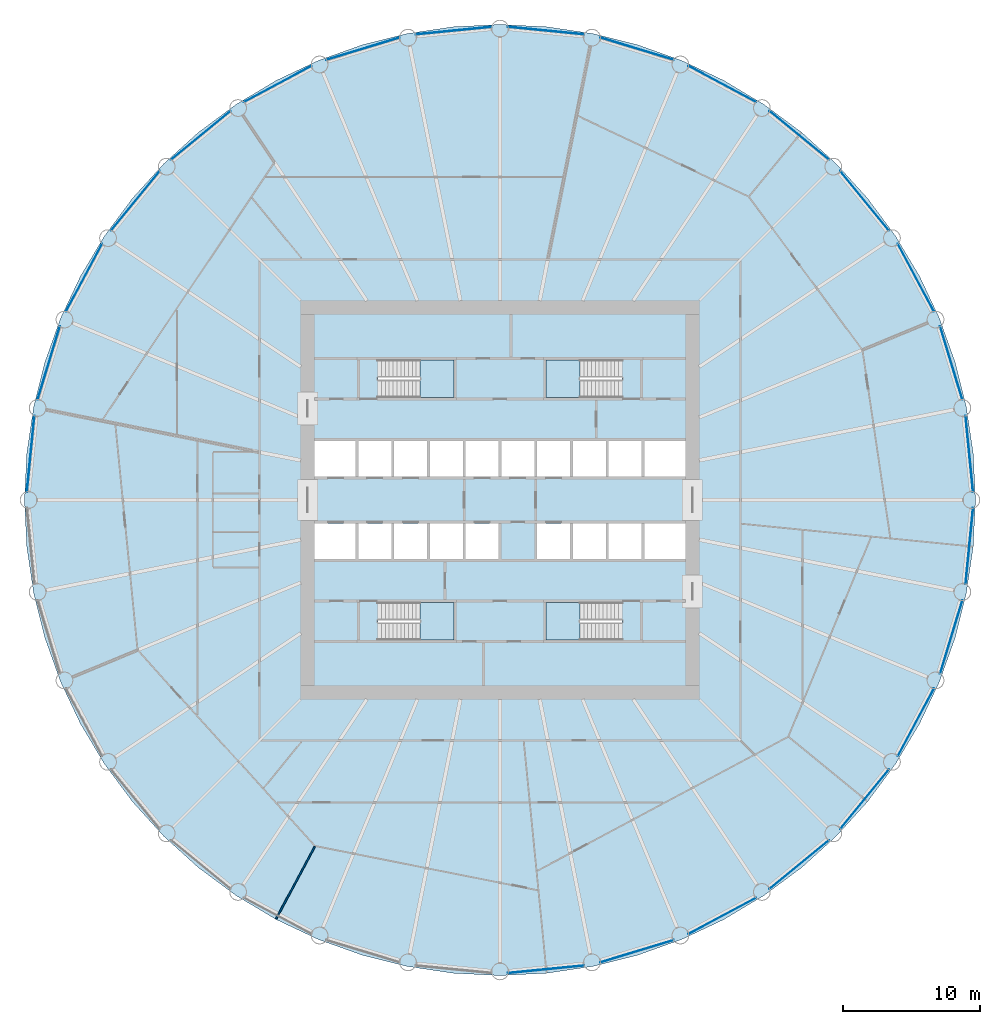
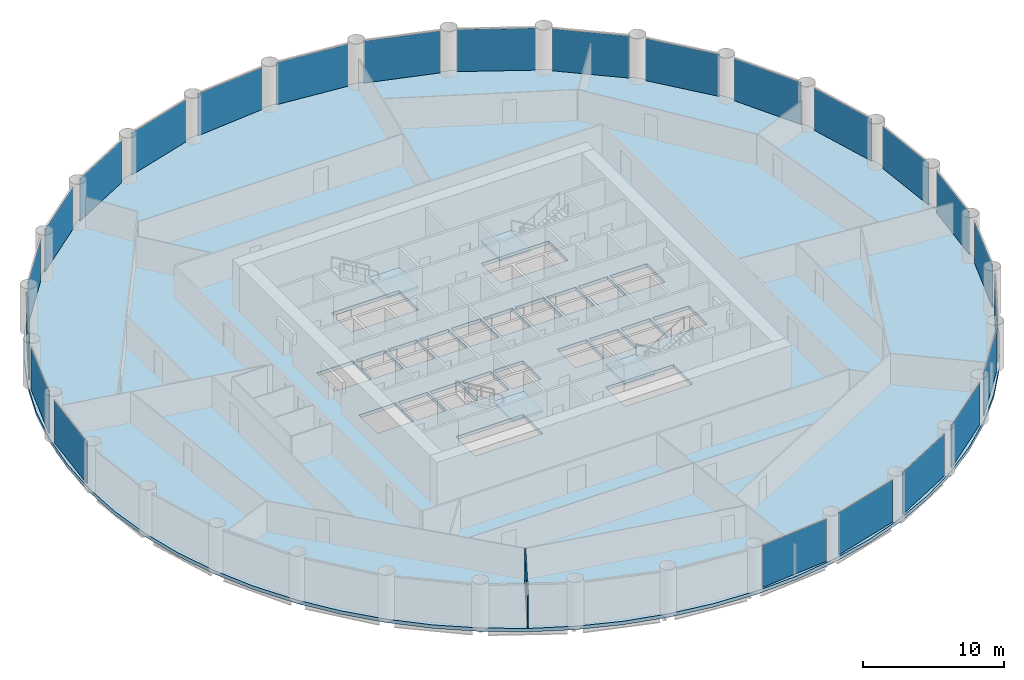
# One storey, part 3 of 9: 24 plates, 5 slabs, 1 wall, 28 elements without a shape of their own.
"""IFC4 building model written with IfcOpenShell, lengths in metres."""

import ifcopenshell
import ifcopenshell.guid

model = None  # the IFC model being written
_history = None  # IfcOwnerHistory: only IFC2X3 demands one
_inside = {}  # id of a spatial element -> (the spatial element, [elements in it])
_under = {}  # id of a project, library or spatial element -> (it, [spatial elements below it])
_declared = {}  # id of a project -> (the project, [libraries it declares])
_typed = {}  # id of a type object -> (the type object, [elements of that type])
_made_of = {}  # id of a material, layer set ... -> (it, [elements and type objects made of it])


def new_model(schema):
    """Start an empty IFC model of exactly this schema.

    Asked for "IFC4X3", IfcOpenShell would pick the latest addendum, in which some entities
    have other attributes; the version numbers below select the first issue.
    IFC2X3 requires an IfcOwnerHistory on every rooted entity: one is made here for all.
    """
    global model, _history
    if schema == "IFC4X3":
        model = ifcopenshell.file(schema_version=(4, 3, 0, 0))
    else:
        model = ifcopenshell.file(schema=schema)
    _inside.clear()
    _under.clear()
    _declared.clear()
    _typed.clear()
    _made_of.clear()
    _history = None
    if model.schema == "IFC2X3":
        org = make("IfcOrganization", Name="unknown")
        user = make(
            "IfcPersonAndOrganization",
            ThePerson=make("IfcPerson", FamilyName="unknown"),
            TheOrganization=org,
        )
        app = make(
            "IfcApplication",
            ApplicationDeveloper=org,
            Version="unknown",
            ApplicationFullName="unknown",
            ApplicationIdentifier="unknown",
        )
        _history = make(
            "IfcOwnerHistory",
            OwningUser=user,
            OwningApplication=app,
            ChangeAction="ADDED",
            CreationDate=0,
        )
    return model


def make(cls, **values):
    """One entity of the class cls with the attributes given. An attribute that is None is left unset."""
    return model.create_entity(
        cls, **{name: value for name, value in values.items() if value is not None}
    )


def rooted(cls, **values):
    """An entity with a GlobalId (a new one), such as an element, a storey or a relation."""
    return make(cls, GlobalId=ifcopenshell.guid.new(), OwnerHistory=_history, **values)


def si_unit(unit_type, name, prefix=None):
    """IfcSIUnit, for example si_unit("LENGTHUNIT", "METRE", prefix="MILLI")."""
    return make("IfcSIUnit", UnitType=unit_type, Prefix=prefix, Name=name)


def assignment(units):
    """IfcUnitAssignment: the units of a project."""
    return None if units is None else make("IfcUnitAssignment", Units=units)


def point(xyz):
    """IfcCartesianPoint."""
    return None if xyz is None else make("IfcCartesianPoint", Coordinates=xyz)


def direction(xyz):
    """IfcDirection."""
    return None if xyz is None else make("IfcDirection", DirectionRatios=xyz)


def frame(location, z_axis=None, x_axis=None):
    """IfcAxis2Placement3D, a coordinate frame: its origin and axes. An axis left out is left unset."""
    return make(
        "IfcAxis2Placement3D",
        Location=point(location),
        Axis=direction(z_axis),
        RefDirection=direction(x_axis),
    )


def frame_2d(location, x_axis=None):
    """IfcAxis2Placement2D, a coordinate frame in the plane: its origin and x axis."""
    return make(
        "IfcAxis2Placement2D", Location=point(location), RefDirection=direction(x_axis)
    )


def origin():
    """The frame at (0, 0, 0) with its axes left unset."""
    return frame((0.0, 0.0, 0.0))


def origin_2d():
    """The frame at (0, 0) in the plane with its x axis left unset."""
    return frame_2d((0.0, 0.0))


def place(relative_to, where):
    """IfcLocalPlacement: puts the frame where relative to a parent placement (None: the world)."""
    return make(
        "IfcLocalPlacement", PlacementRelTo=relative_to, RelativePlacement=where
    )


def context(
    kind, dimensions, precision=None, world=None, true_north=None, identifier=None
):
    """IfcGeometricRepresentationContext, for example the 3D "Model" context."""
    return make(
        "IfcGeometricRepresentationContext",
        ContextIdentifier=identifier,
        ContextType=kind,
        CoordinateSpaceDimension=dimensions,
        Precision=precision,
        WorldCoordinateSystem=world,
        TrueNorth=true_north,
    )


def subcontext(parent, identifier, kind, view, scale=None):
    """IfcGeometricRepresentationSubContext, for example "Body" below "Model"."""
    return make(
        "IfcGeometricRepresentationSubContext",
        ContextIdentifier=identifier,
        ContextType=kind,
        ParentContext=parent,
        TargetScale=scale,
        TargetView=view,
    )


def project(units=None, contexts=None):
    """IfcProject with its units and contexts."""
    return rooted(
        "IfcProject",
        Name="project",
        RepresentationContexts=contexts,
        UnitsInContext=assignment(units),
    )


def spatial(cls, under=None, at=None, **own):
    """A site, building, storey or space (cls), placed at a placement, below another one or the project."""
    s = rooted(cls, ObjectPlacement=at, **own)
    if under is not None:
        _under.setdefault(under.id(), (under, []))[1].append(s)
    return s


def polyline(points):
    """IfcPolyline through the points."""
    return make("IfcPolyline", Points=[point(p) for p in points])


def profile(cls, at=None, kind="AREA", **sizes):
    """A parametric profile (cls). Its sizes go by their IFC names, for example OverallWidth=200.0."""
    return make(cls, ProfileType=kind, Position=at, **sizes)


def rectangle(**sizes):
    """IfcRectangleProfileDef."""
    return profile("IfcRectangleProfileDef", **sizes)


def outline(outer, holes=None, kind="AREA"):
    """IfcArbitraryClosedProfileDef: a profile drawn as a closed curve; with holes, ...WithVoids."""
    if holes is None:
        return make("IfcArbitraryClosedProfileDef", ProfileType=kind, OuterCurve=outer)
    return make(
        "IfcArbitraryProfileDefWithVoids",
        ProfileType=kind,
        OuterCurve=outer,
        InnerCurves=holes,
    )


def extrude(swept, where, along, depth):
    """IfcExtrudedAreaSolid: the profile swept, set in the frame where, extruded along a direction by depth."""
    return make(
        "IfcExtrudedAreaSolid",
        SweptArea=swept,
        Position=where,
        ExtrudedDirection=direction(along),
        Depth=depth,
    )


def shape(context_of_items, identifier, shape_type, items):
    """IfcShapeRepresentation: the items that make up one representation, for example the "Body"."""
    return make(
        "IfcShapeRepresentation",
        ContextOfItems=context_of_items,
        RepresentationIdentifier=identifier,
        RepresentationType=shape_type,
        Items=items,
    )


def material(Name=None, Category=None):
    """IfcMaterial."""
    return make("IfcMaterial", Name=Name, Category=Category)


def layer(
    of_material, thickness, ventilated=None, Name=None, Category=None, Priority=None
):
    """IfcMaterialLayer: one layer of a wall or slab, of a material (None: an air gap)."""
    return make(
        "IfcMaterialLayer",
        Material=of_material,
        LayerThickness=thickness,
        IsVentilated=ventilated,
        Name=Name,
        Category=Category,
        Priority=Priority,
    )


def layer_set(layers, Name=None):
    """IfcMaterialLayerSet."""
    return make("IfcMaterialLayerSet", MaterialLayers=layers, LayerSetName=Name)


def made_of(thing, what):
    """Note that an element or type object is made of a material, layer set ...; save() writes the relation."""
    if what is not None:
        _made_of.setdefault(what.id(), (what, []))[1].append(thing)
    return thing


def type_object(cls, material=None, **own):
    """A type object (cls), such as IfcWallType, which elements share."""
    return made_of(rooted(cls, **own), material)


def element(
    cls,
    number,
    at=None,
    inside=None,
    cuts=None,
    type_object=None,
    material=None,
    context=None,
    identifier="Body",
    shape_type=None,
    held_by="IfcProductDefinitionShape",
    body=None,
    shapes=None,
    **own,
):
    """One element of the class cls, such as IfcWall. Its Tag is "e" and its number.

    at: its placement. inside: the storey or other place that contains it. cuts: it is an
    opening in that element (IfcRelVoidsElement). A single representation is given by context,
    identifier, shape_type and body (its items); several are given by shapes. held_by: the class
    of the entity that holds the representations. save() writes the other relations.
    """
    e = rooted(cls, Tag="e%d" % number, ObjectPlacement=at, **own)
    if body is not None:
        shapes = [shape(context, identifier, shape_type, body)]
    if shapes is not None:
        e.Representation = make(held_by, Representations=shapes)
    if inside is not None:
        _inside.setdefault(inside.id(), (inside, []))[1].append(e)
    if cuts is not None:
        rooted(
            "IfcRelVoidsElement", RelatingBuildingElement=cuts, RelatedOpeningElement=e
        )
    if type_object is not None:
        _typed.setdefault(type_object.id(), (type_object, []))[1].append(e)
    return made_of(e, material)


def aggregate(whole, parts):
    """IfcRelAggregates: a whole, such as a stair, and the parts it consists of."""
    return rooted("IfcRelAggregates", RelatingObject=whole, RelatedObjects=parts)


def save(model, path):
    """Write the relations noted so far, then the file.

    IfcRelAggregates (storeys below a building ...), IfcRelContainedInSpatialStructure (elements
    in a storey), IfcRelDefinesByType, IfcRelAssociatesMaterial and IfcRelDeclares: one each for
    every whole, place, type object, material and project.
    """
    for whole, parts in _under.values():
        aggregate(whole, parts)
    for where, things in _inside.values():
        rooted(
            "IfcRelContainedInSpatialStructure",
            RelatedElements=things,
            RelatingStructure=where,
        )
    for kind, things in _typed.values():
        rooted("IfcRelDefinesByType", RelatedObjects=things, RelatingType=kind)
    for what, things in _made_of.values():
        rooted("IfcRelAssociatesMaterial", RelatedObjects=things, RelatingMaterial=what)
    for by, libraries in _declared.values():
        rooted("IfcRelDeclares", RelatingContext=by, RelatedDefinitions=libraries)
    model.write(path)


model = new_model("IFC4")

# Units and contexts
model_context = context("Model", 3, precision=1e-05, world=origin(), true_north=direction((0.0, 1.0)))
body_context = subcontext(model_context, "Body", "Model", "MODEL_VIEW")
ifc_project = project(units=[si_unit("LENGTHUNIT", "METRE"), si_unit("AREAUNIT", "SQUARE_METRE"), si_unit("VOLUMEUNIT", "CUBIC_METRE"), si_unit("PLANEANGLEUNIT", "RADIAN"), si_unit("MASSUNIT", "GRAM", prefix="KILO")], contexts=[model_context])

# Site, building, storey
site_placement = place(None, origin())
site = spatial("IfcSite", under=ifc_project, at=site_placement, CompositionType="ELEMENT")
building_placement = place(site_placement, origin())
building = spatial("IfcBuilding", under=site, at=building_placement, Name="Corvane Civic Tower", CompositionType="ELEMENT")
storey_placement = place(building_placement, frame((0.0, 0.0, 98.5)))
storey = spatial("IfcBuildingStorey", under=building, at=storey_placement, Name="L22", CompositionType="ELEMENT", Elevation=98.5)

# Slab
ifc_material_1 = material(Name="Concrete C40/50", Category="concrete")
ifc_layer_1 = layer(ifc_material_1, 0.300048828125)
ifc_layer_set_1 = layer_set([ifc_layer_1], Name="Concrete C40/50")
slab_type_1 = type_object("IfcSlabType", Name="FLOOR SLAB 300", PredefinedType="FLOOR", material=ifc_layer_set_1)
slab_1_placement = place(storey_placement, frame((0.0, 0.0, -0.300048828125)))
element("IfcSlab", 1, at=slab_1_placement, inside=storey, type_object=slab_type_1, Name="SLB-L22", PredefinedType="FLOOR", context=body_context, shape_type="SweptSolid", body=[
    extrude(outline(polyline([(0.0, 34.60009765625), (-3.391357421875, 34.433349609375), (-6.750244140625, 33.93505859375), (-10.0439453125, 33.110107421875), (-13.240966796875, 31.96630859375), (-16.310302734375, 30.514404296875), (-19.22265625, 28.768798828125), (-21.949951171875, 26.74609375), (-24.4658203125, 24.4658203125), (-26.74609375, 21.949951171875), (-28.768798828125, 19.22265625), (-30.514404296875, 16.310302734375), (-31.96630859375, 13.240966796875), (-33.110107421875, 10.0439453125), (-33.93505859375, 6.750244140625), (-34.433349609375, 3.391357421875), (-34.60009765625, 0.0), (-34.433349609375, -3.391357421875), (-33.93505859375, -6.750244140625), (-33.110107421875, -10.0439453125), (-31.96630859375, -13.240966796875), (-30.514404296875, -16.310302734375), (-28.768798828125, -19.22265625), (-26.74609375, -21.949951171875), (-24.4658203125, -24.4658203125), (-21.949951171875, -26.74609375), (-19.22265625, -28.768798828125), (-16.310302734375, -30.514404296875), (-13.240966796875, -31.96630859375), (-10.0439453125, -33.110107421875), (-6.750244140625, -33.93505859375), (-3.391357421875, -34.433349609375), (0.0, -34.60009765625), (3.391357421875, -34.433349609375), (6.750244140625, -33.93505859375), (10.0439453125, -33.110107421875), (13.240966796875, -31.96630859375), (16.310302734375, -30.514404296875), (19.22265625, -28.768798828125), (21.949951171875, -26.74609375), (24.4658203125, -24.4658203125), (26.74609375, -21.949951171875), (28.768798828125, -19.22265625), (30.514404296875, -16.310302734375), (31.96630859375, -13.240966796875), (33.110107421875, -10.0439453125), (33.93505859375, -6.750244140625), (34.433349609375, -3.391357421875), (34.60009765625, 0.0), (34.433349609375, 3.391357421875), (33.93505859375, 6.750244140625), (33.110107421875, 10.0439453125), (31.96630859375, 13.240966796875), (30.514404296875, 16.310302734375), (28.768798828125, 19.22265625), (26.74609375, 21.949951171875), (24.4658203125, 24.4658203125), (21.949951171875, 26.74609375), (19.22265625, 28.768798828125), (16.310302734375, 30.514404296875), (13.240966796875, 31.96630859375), (10.0439453125, 33.110107421875), (6.750244140625, 33.93505859375), (3.391357421875, 34.433349609375), (0.0, 34.60009765625)]), holes=[polyline([(-13.5, 4.300048828125), (-10.5, 4.300048828125), (-10.5, 1.699951171875), (-13.5, 1.699951171875), (-13.5, 4.300048828125)]), polyline([(-7.89990234375, 1.699951171875), (-10.300048828125, 1.699951171875), (-10.300048828125, 4.300048828125), (-7.89990234375, 4.300048828125), (-7.89990234375, 1.699951171875)]), polyline([(-7.699951171875, 4.300048828125), (-5.300048828125, 4.300048828125), (-5.300048828125, 1.699951171875), (-7.699951171875, 1.699951171875), (-7.699951171875, 4.300048828125)]), polyline([(-5.10009765625, 4.300048828125), (-2.699951171875, 4.300048828125), (-2.699951171875, 1.699951171875), (-5.10009765625, 1.699951171875), (-5.10009765625, 4.300048828125)]), polyline([(-2.5, 4.300048828125), (-0.10009765625, 4.300048828125), (-0.10009765625, 1.699951171875), (-2.5, 1.699951171875), (-2.5, 4.300048828125)]), polyline([(2.5, 1.699951171875), (0.10009765625, 1.699951171875), (0.10009765625, 4.300048828125), (2.5, 4.300048828125), (2.5, 1.699951171875)]), polyline([(5.10009765625, 1.699951171875), (2.699951171875, 1.699951171875), (2.699951171875, 4.300048828125), (5.10009765625, 4.300048828125), (5.10009765625, 1.699951171875)]), polyline([(5.300048828125, 4.300048828125), (7.699951171875, 4.300048828125), (7.699951171875, 1.699951171875), (5.300048828125, 1.699951171875), (5.300048828125, 4.300048828125)]), polyline([(7.89990234375, 4.300048828125), (10.300048828125, 4.300048828125), (10.300048828125, 1.699951171875), (7.89990234375, 1.699951171875), (7.89990234375, 4.300048828125)]), polyline([(13.5, 1.699951171875), (10.5, 1.699951171875), (10.5, 4.300048828125), (13.5, 4.300048828125), (13.5, 1.699951171875)]), polyline([(-13.5, -1.699951171875), (-10.5, -1.699951171875), (-10.5, -4.300048828125), (-13.5, -4.300048828125), (-13.5, -1.699951171875)]), polyline([(-10.300048828125, -1.699951171875), (-7.89990234375, -1.699951171875), (-7.89990234375, -4.300048828125), (-10.300048828125, -4.300048828125), (-10.300048828125, -1.699951171875)]), polyline([(-7.699951171875, -1.699951171875), (-5.300048828125, -1.699951171875), (-5.300048828125, -4.300048828125), (-7.699951171875, -4.300048828125), (-7.699951171875, -1.699951171875)]), polyline([(-5.10009765625, -1.699951171875), (-2.699951171875, -1.699951171875), (-2.699951171875, -4.300048828125), (-5.10009765625, -4.300048828125), (-5.10009765625, -1.699951171875)]), polyline([(-2.5, -1.699951171875), (-0.10009765625, -1.699951171875), (-0.10009765625, -4.300048828125), (-2.5, -4.300048828125), (-2.5, -1.699951171875)]), polyline([(2.699951171875, -1.699951171875), (5.10009765625, -1.699951171875), (5.10009765625, -4.300048828125), (2.699951171875, -4.300048828125), (2.699951171875, -1.699951171875)]), polyline([(5.300048828125, -4.300048828125), (5.300048828125, -1.699951171875), (7.699951171875, -1.699951171875), (7.699951171875, -4.300048828125), (5.300048828125, -4.300048828125)]), polyline([(7.89990234375, -4.300048828125), (7.89990234375, -1.699951171875), (10.300048828125, -1.699951171875), (10.300048828125, -4.300048828125), (7.89990234375, -4.300048828125)]), polyline([(13.5, -4.300048828125), (10.5, -4.300048828125), (10.5, -1.699951171875), (13.5, -1.699951171875), (13.5, -4.300048828125)]), polyline([(8.889892578125, 10.199951171875), (8.889892578125, 7.449951171875), (3.35009765625, 7.449951171875), (3.35009765625, 10.199951171875), (8.889892578125, 10.199951171875)]), polyline([(-8.889892578125, 7.449951171875), (-8.889892578125, 10.199951171875), (-3.35009765625, 10.199951171875), (-3.35009765625, 7.449951171875), (-8.889892578125, 7.449951171875)]), polyline([(8.889892578125, -7.449951171875), (8.889892578125, -10.199951171875), (3.35009765625, -10.199951171875), (3.35009765625, -7.449951171875), (8.889892578125, -7.449951171875)]), polyline([(-8.889892578125, -10.199951171875), (-8.889892578125, -7.449951171875), (-3.35009765625, -7.449951171875), (-3.35009765625, -10.199951171875), (-8.889892578125, -10.199951171875)])]), origin(), (0.0, 0.0, 1.0), 0.300048828125),
])

# Stair, slab
ifc_material_2 = material(Name="Concrete C40/50", Category="concrete")
stair_type = type_object("IfcStairType", Name="ST-STAIR-HALFTURN", PredefinedType="HALF_TURN_STAIR", material=ifc_material_2)
stair_1_placement = place(storey_placement, origin())
stair_1 = element("IfcStair", 2, at=stair_1_placement, inside=storey, type_object=stair_type, Name="L22 Exit stair ST1", PredefinedType="HALF_TURN_STAIR")
ifc_material_3 = material(Name="Concrete C40/50", Category="concrete")
ifc_layer_2 = layer(ifc_material_3, 0.199951171875)
ifc_layer_set_2 = layer_set([ifc_layer_2], Name="Concrete C40/50")
slab_type_2 = type_object("IfcSlabType", Name="ST-LANDING-RC", PredefinedType="LANDING", material=ifc_layer_set_2)
slab_2_placement = place(storey_placement, frame((0.0, 0.0, 1.800048828125)))
slab_2 = element("IfcSlab", 3, at=slab_2_placement, type_object=slab_type_2, Name="ST1 landing 1", PredefinedType="LANDING", context=body_context, shape_type="SweptSolid", body=[
    extrude(outline(polyline([(5.820068359375, 10.199951171875), (3.35009765625, 10.199951171875), (3.35009765625, 7.449951171875), (5.820068359375, 7.449951171875), (5.820068359375, 10.199951171875)])), origin(), (0.0, 0.0, 1.0), 0.199951171875),
])
aggregate(stair_1, [slab_2])

stair_2_placement = place(storey_placement, origin())
stair_2 = element("IfcStair", 4, at=stair_2_placement, inside=storey, type_object=stair_type, Name="L22 Exit stair ST2", PredefinedType="HALF_TURN_STAIR")
slab_3_placement = place(storey_placement, frame((0.0, 0.0, 1.800048828125)))
slab_3 = element("IfcSlab", 5, at=slab_3_placement, type_object=slab_type_2, Name="ST2 landing 1", PredefinedType="LANDING", context=body_context, shape_type="SweptSolid", body=[
    extrude(outline(polyline([(5.820068359375, -7.449951171875), (3.35009765625, -7.449951171875), (3.35009765625, -10.199951171875), (5.820068359375, -10.199951171875), (5.820068359375, -7.449951171875)])), origin(), (0.0, 0.0, 1.0), 0.199951171875),
])
aggregate(stair_2, [slab_3])

stair_3_placement = place(storey_placement, origin())
stair_3 = element("IfcStair", 6, at=stair_3_placement, inside=storey, type_object=stair_type, Name="L22 Exit stair ST3", PredefinedType="HALF_TURN_STAIR")
slab_4_placement = place(storey_placement, frame((0.0, 0.0, 1.800048828125)))
slab_4 = element("IfcSlab", 7, at=slab_4_placement, type_object=slab_type_2, Name="ST3 landing 1", PredefinedType="LANDING", context=body_context, shape_type="SweptSolid", body=[
    extrude(outline(polyline([(-5.820068359375, -10.199951171875), (-3.35009765625, -10.199951171875), (-3.35009765625, -7.449951171875), (-5.820068359375, -7.449951171875), (-5.820068359375, -10.199951171875)])), origin(), (0.0, 0.0, 1.0), 0.199951171875),
])
aggregate(stair_3, [slab_4])

stair_4_placement = place(storey_placement, origin())
stair_4 = element("IfcStair", 8, at=stair_4_placement, inside=storey, type_object=stair_type, Name="L22 Exit stair ST4", PredefinedType="HALF_TURN_STAIR")
slab_5_placement = place(storey_placement, frame((0.0, 0.0, 1.800048828125)))
slab_5 = element("IfcSlab", 9, at=slab_5_placement, type_object=slab_type_2, Name="ST4 landing 1", PredefinedType="LANDING", context=body_context, shape_type="SweptSolid", body=[
    extrude(outline(polyline([(-5.820068359375, 7.449951171875), (-3.35009765625, 7.449951171875), (-3.35009765625, 10.199951171875), (-5.820068359375, 10.199951171875), (-5.820068359375, 7.449951171875)])), origin(), (0.0, 0.0, 1.0), 0.199951171875),
])
aggregate(stair_4, [slab_5])

# Curtain wall, plate
ifc_material_4 = material(Name="Anodised aluminium bronze", Category="aluminium")
curtain_wall_type = type_object("IfcCurtainWallType", Name="TOWER CW-T1 STICK CURTAIN WALL", PredefinedType="NOTDEFINED", material=ifc_material_4)
curtain_wall_1_placement = place(storey_placement, origin())
curtain_wall_1 = element("IfcCurtainWall", 10, at=curtain_wall_1_placement, inside=storey, type_object=curtain_wall_type, Name="Curtain wall CW-T1 L22 bay 01", PredefinedType="NOTDEFINED")
ifc_material_5 = material(Name="Tinted glass", Category="glass")
ifc_layer_3 = layer(ifc_material_5, 0.035888671875)
ifc_layer_set_3 = layer_set([ifc_layer_3], Name="Tinted glass")
plate_type = type_object("IfcPlateType", Name="TOWER CW-T1 PANEL IGU36", PredefinedType="CURTAIN_PANEL", material=ifc_layer_set_3)
plate_1_placement = place(storey_placement, frame((3.36328125, 34.148681640625, 0.0), z_axis=(0.0, 0.0, 1.0), x_axis=(0.995183788169, -0.098026668644, 0.0)))
plate_1 = element("IfcPlate", 11, at=plate_1_placement, type_object=plate_type, Name="Glass panel CW-T1 L22 01.1", PredefinedType="CURTAIN_PANEL", context=body_context, shape_type="SweptSolid", body=[
    extrude(rectangle(XDim=5.58642578125, YDim=0.035888671875, at=origin_2d()), origin(), (0.0, 0.0, 1.0), 3.6298828125),
])
aggregate(curtain_wall_1, [plate_1])

curtain_wall_2_placement = place(storey_placement, origin())
curtain_wall_2 = element("IfcCurtainWall", 12, at=curtain_wall_2_placement, inside=storey, type_object=curtain_wall_type, Name="Curtain wall CW-T1 L22 bay 02", PredefinedType="NOTDEFINED")
plate_2_placement = place(storey_placement, frame((9.9609375, 32.83642578125, 0.0), z_axis=(0.0, 0.0, 1.0), x_axis=(0.956945991488, -0.290266032073, 0.0)))
plate_2 = element("IfcPlate", 13, at=plate_2_placement, type_object=plate_type, Name="Glass panel CW-T1 L22 02.1", PredefinedType="CURTAIN_PANEL", context=body_context, shape_type="SweptSolid", body=[
    extrude(rectangle(XDim=5.58642578125, YDim=0.035888671875, at=origin_2d()), origin(), (0.0, 0.0, 1.0), 3.6298828125),
])
aggregate(curtain_wall_2, [plate_2])

curtain_wall_3_placement = place(storey_placement, origin())
curtain_wall_3 = element("IfcCurtainWall", 14, at=curtain_wall_3_placement, inside=storey, type_object=curtain_wall_type, Name="Curtain wall CW-T1 L22 bay 03", PredefinedType="NOTDEFINED")
plate_3_placement = place(storey_placement, frame((16.175537109375, 30.26220703125, 0.0), z_axis=(0.0, 0.0, 1.0), x_axis=(0.881923642976, -0.471392286699, 0.0)))
plate_3 = element("IfcPlate", 15, at=plate_3_placement, type_object=plate_type, Name="Glass panel CW-T1 L22 03.1", PredefinedType="CURTAIN_PANEL", context=body_context, shape_type="SweptSolid", body=[
    extrude(rectangle(XDim=5.586669921875, YDim=0.035888671875, at=origin_2d()), origin(), (0.0, 0.0, 1.0), 3.6298828125),
])
aggregate(curtain_wall_3, [plate_3])

curtain_wall_4_placement = place(storey_placement, origin())
curtain_wall_4 = element("IfcCurtainWall", 16, at=curtain_wall_4_placement, inside=storey, type_object=curtain_wall_type, Name="Curtain wall CW-T1 L22 bay 04", PredefinedType="NOTDEFINED")
plate_4_placement = place(storey_placement, frame((21.7685546875, 26.525146484375, 0.0), z_axis=(0.0, 0.0, 1.0), x_axis=(0.773013419843, -0.63438966948, 0.0)))
plate_4 = element("IfcPlate", 17, at=plate_4_placement, type_object=plate_type, Name="Glass panel CW-T1 L22 04.1", PredefinedType="CURTAIN_PANEL", context=body_context, shape_type="SweptSolid", body=[
    extrude(rectangle(XDim=5.58642578125, YDim=0.035888671875, at=origin_2d()), origin(), (0.0, 0.0, 1.0), 3.6298828125),
])
aggregate(curtain_wall_4, [plate_4])

curtain_wall_5_placement = place(storey_placement, origin())
curtain_wall_5 = element("IfcCurtainWall", 18, at=curtain_wall_5_placement, inside=storey, type_object=curtain_wall_type, Name="Curtain wall CW-T1 L22 bay 05", PredefinedType="NOTDEFINED")
plate_5_placement = place(storey_placement, frame((26.525146484375, 21.7685546875, 0.0), z_axis=(0.0, 0.0, 1.0), x_axis=(0.63438966948, -0.773013419843, 0.0)))
plate_5 = element("IfcPlate", 19, at=plate_5_placement, type_object=plate_type, Name="Glass panel CW-T1 L22 05.1", PredefinedType="CURTAIN_PANEL", context=body_context, shape_type="SweptSolid", body=[
    extrude(rectangle(XDim=5.58642578125, YDim=0.035888671875, at=origin_2d()), origin(), (0.0, 0.0, 1.0), 3.6298828125),
])
aggregate(curtain_wall_5, [plate_5])

curtain_wall_6_placement = place(storey_placement, origin())
curtain_wall_6 = element("IfcCurtainWall", 20, at=curtain_wall_6_placement, inside=storey, type_object=curtain_wall_type, Name="Curtain wall CW-T1 L22 bay 06", PredefinedType="NOTDEFINED")
plate_6_placement = place(storey_placement, frame((30.26220703125, 16.175537109375, 0.0), z_axis=(0.0, 0.0, 1.0), x_axis=(0.471392286699, -0.881923642976, 0.0)))
plate_6 = element("IfcPlate", 21, at=plate_6_placement, type_object=plate_type, Name="Glass panel CW-T1 L22 06.1", PredefinedType="CURTAIN_PANEL", context=body_context, shape_type="SweptSolid", body=[
    extrude(rectangle(XDim=5.586669921875, YDim=0.035888671875, at=origin_2d()), origin(), (0.0, 0.0, 1.0), 3.6298828125),
])
aggregate(curtain_wall_6, [plate_6])

curtain_wall_7_placement = place(storey_placement, origin())
curtain_wall_7 = element("IfcCurtainWall", 22, at=curtain_wall_7_placement, inside=storey, type_object=curtain_wall_type, Name="Curtain wall CW-T1 L22 bay 07", PredefinedType="NOTDEFINED")
plate_7_placement = place(storey_placement, frame((32.83642578125, 9.9609375, 0.0), z_axis=(0.0, 0.0, 1.0), x_axis=(0.290266032073, -0.956945991488, 0.0)))
plate_7 = element("IfcPlate", 23, at=plate_7_placement, type_object=plate_type, Name="Glass panel CW-T1 L22 07.1", PredefinedType="CURTAIN_PANEL", context=body_context, shape_type="SweptSolid", body=[
    extrude(rectangle(XDim=5.58642578125, YDim=0.035888671875, at=origin_2d()), origin(), (0.0, 0.0, 1.0), 3.6298828125),
])
aggregate(curtain_wall_7, [plate_7])

curtain_wall_8_placement = place(storey_placement, origin())
curtain_wall_8 = element("IfcCurtainWall", 24, at=curtain_wall_8_placement, inside=storey, type_object=curtain_wall_type, Name="Curtain wall CW-T1 L22 bay 08", PredefinedType="NOTDEFINED")
plate_8_placement = place(storey_placement, frame((34.148681640625, 3.36328125, 0.0), z_axis=(0.0, 0.0, 1.0), x_axis=(0.098026668644, -0.995183788169, 0.0)))
plate_8 = element("IfcPlate", 25, at=plate_8_placement, type_object=plate_type, Name="Glass panel CW-T1 L22 08.1", PredefinedType="CURTAIN_PANEL", context=body_context, shape_type="SweptSolid", body=[
    extrude(rectangle(XDim=5.58642578125, YDim=0.035888671875, at=origin_2d()), origin(), (0.0, 0.0, 1.0), 3.6298828125),
])
aggregate(curtain_wall_8, [plate_8])

curtain_wall_9_placement = place(storey_placement, origin())
curtain_wall_9 = element("IfcCurtainWall", 26, at=curtain_wall_9_placement, inside=storey, type_object=curtain_wall_type, Name="Curtain wall CW-T1 L22 bay 09", PredefinedType="NOTDEFINED")
plate_9_placement = place(storey_placement, frame((34.148681640625, -3.36328125, 0.0), z_axis=(0.0, 0.0, 1.0), x_axis=(-0.098026668644, -0.995183788169, 0.0)))
plate_9 = element("IfcPlate", 27, at=plate_9_placement, type_object=plate_type, Name="Glass panel CW-T1 L22 09.1", PredefinedType="CURTAIN_PANEL", context=body_context, shape_type="SweptSolid", body=[
    extrude(rectangle(XDim=5.58642578125, YDim=0.035888671875, at=origin_2d()), origin(), (0.0, 0.0, 1.0), 3.6298828125),
])
aggregate(curtain_wall_9, [plate_9])

curtain_wall_10_placement = place(storey_placement, origin())
curtain_wall_10 = element("IfcCurtainWall", 28, at=curtain_wall_10_placement, inside=storey, type_object=curtain_wall_type, Name="Curtain wall CW-T1 L22 bay 10", PredefinedType="NOTDEFINED")
plate_10_placement = place(storey_placement, frame((32.83642578125, -9.9609375, 0.0), z_axis=(0.0, 0.0, 1.0), x_axis=(-0.290266032073, -0.956945991488, 0.0)))
plate_10 = element("IfcPlate", 29, at=plate_10_placement, type_object=plate_type, Name="Glass panel CW-T1 L22 10.1", PredefinedType="CURTAIN_PANEL", context=body_context, shape_type="SweptSolid", body=[
    extrude(rectangle(XDim=5.58642578125, YDim=0.035888671875, at=origin_2d()), origin(), (0.0, 0.0, 1.0), 3.6298828125),
])
aggregate(curtain_wall_10, [plate_10])

curtain_wall_11_placement = place(storey_placement, origin())
curtain_wall_11 = element("IfcCurtainWall", 30, at=curtain_wall_11_placement, inside=storey, type_object=curtain_wall_type, Name="Curtain wall CW-T1 L22 bay 11", PredefinedType="NOTDEFINED")
plate_11_placement = place(storey_placement, frame((30.26220703125, -16.175537109375, 0.0), z_axis=(0.0, 0.0, 1.0), x_axis=(-0.471392286699, -0.881923642976, 0.0)))
plate_11 = element("IfcPlate", 31, at=plate_11_placement, type_object=plate_type, Name="Glass panel CW-T1 L22 11.1", PredefinedType="CURTAIN_PANEL", context=body_context, shape_type="SweptSolid", body=[
    extrude(rectangle(XDim=5.586669921875, YDim=0.035888671875, at=origin_2d()), origin(), (0.0, 0.0, 1.0), 3.6298828125),
])
aggregate(curtain_wall_11, [plate_11])

curtain_wall_12_placement = place(storey_placement, origin())
curtain_wall_12 = element("IfcCurtainWall", 32, at=curtain_wall_12_placement, inside=storey, type_object=curtain_wall_type, Name="Curtain wall CW-T1 L22 bay 12", PredefinedType="NOTDEFINED")
plate_12_placement = place(storey_placement, frame((26.525146484375, -21.7685546875, 0.0), z_axis=(0.0, 0.0, 1.0), x_axis=(-0.63438966948, -0.773013419843, 0.0)))
plate_12 = element("IfcPlate", 33, at=plate_12_placement, type_object=plate_type, Name="Glass panel CW-T1 L22 12.1", PredefinedType="CURTAIN_PANEL", context=body_context, shape_type="SweptSolid", body=[
    extrude(rectangle(XDim=5.58642578125, YDim=0.035888671875, at=origin_2d()), origin(), (0.0, 0.0, 1.0), 3.6298828125),
])
aggregate(curtain_wall_12, [plate_12])

curtain_wall_13_placement = place(storey_placement, origin())
curtain_wall_13 = element("IfcCurtainWall", 34, at=curtain_wall_13_placement, inside=storey, type_object=curtain_wall_type, Name="Curtain wall CW-T1 L22 bay 13", PredefinedType="NOTDEFINED")
plate_13_placement = place(storey_placement, frame((21.7685546875, -26.525146484375, 0.0), z_axis=(0.0, 0.0, 1.0), x_axis=(-0.773013419843, -0.63438966948, 0.0)))
plate_13 = element("IfcPlate", 35, at=plate_13_placement, type_object=plate_type, Name="Glass panel CW-T1 L22 13.1", PredefinedType="CURTAIN_PANEL", context=body_context, shape_type="SweptSolid", body=[
    extrude(rectangle(XDim=5.58642578125, YDim=0.035888671875, at=origin_2d()), origin(), (0.0, 0.0, 1.0), 3.6298828125),
])
aggregate(curtain_wall_13, [plate_13])

curtain_wall_14_placement = place(storey_placement, origin())
curtain_wall_14 = element("IfcCurtainWall", 36, at=curtain_wall_14_placement, inside=storey, type_object=curtain_wall_type, Name="Curtain wall CW-T1 L22 bay 14", PredefinedType="NOTDEFINED")
plate_14_placement = place(storey_placement, frame((16.175537109375, -30.26220703125, 0.0), z_axis=(0.0, 0.0, 1.0), x_axis=(-0.881923642976, -0.471392286699, 0.0)))
plate_14 = element("IfcPlate", 37, at=plate_14_placement, type_object=plate_type, Name="Glass panel CW-T1 L22 14.1", PredefinedType="CURTAIN_PANEL", context=body_context, shape_type="SweptSolid", body=[
    extrude(rectangle(XDim=5.586669921875, YDim=0.035888671875, at=origin_2d()), origin(), (0.0, 0.0, 1.0), 3.6298828125),
])
aggregate(curtain_wall_14, [plate_14])

curtain_wall_15_placement = place(storey_placement, origin())
curtain_wall_15 = element("IfcCurtainWall", 38, at=curtain_wall_15_placement, inside=storey, type_object=curtain_wall_type, Name="Curtain wall CW-T1 L22 bay 15", PredefinedType="NOTDEFINED")
plate_15_placement = place(storey_placement, frame((9.9609375, -32.83642578125, 0.0), z_axis=(0.0, 0.0, 1.0), x_axis=(-0.956945991488, -0.290266032073, 0.0)))
plate_15 = element("IfcPlate", 39, at=plate_15_placement, type_object=plate_type, Name="Glass panel CW-T1 L22 15.1", PredefinedType="CURTAIN_PANEL", context=body_context, shape_type="SweptSolid", body=[
    extrude(rectangle(XDim=5.58642578125, YDim=0.035888671875, at=origin_2d()), origin(), (0.0, 0.0, 1.0), 3.6298828125),
])
aggregate(curtain_wall_15, [plate_15])

curtain_wall_16_placement = place(storey_placement, origin())
curtain_wall_16 = element("IfcCurtainWall", 40, at=curtain_wall_16_placement, inside=storey, type_object=curtain_wall_type, Name="Curtain wall CW-T1 L22 bay 16", PredefinedType="NOTDEFINED")
plate_16_placement = place(storey_placement, frame((3.36328125, -34.148681640625, 0.0), z_axis=(0.0, 0.0, 1.0), x_axis=(-0.995183788169, -0.098026668644, 0.0)))
plate_16 = element("IfcPlate", 41, at=plate_16_placement, type_object=plate_type, Name="Glass panel CW-T1 L22 16.1", PredefinedType="CURTAIN_PANEL", context=body_context, shape_type="SweptSolid", body=[
    extrude(rectangle(XDim=5.58642578125, YDim=0.035888671875, at=origin_2d()), origin(), (0.0, 0.0, 1.0), 3.6298828125),
])
aggregate(curtain_wall_16, [plate_16])

curtain_wall_17_placement = place(storey_placement, origin())
curtain_wall_17 = element("IfcCurtainWall", 42, at=curtain_wall_17_placement, inside=storey, type_object=curtain_wall_type, Name="Curtain wall CW-T1 L22 bay 25", PredefinedType="NOTDEFINED")
plate_17_placement = place(storey_placement, frame((-34.148681640625, 3.36328125, 0.0), z_axis=(0.0, 0.0, 1.0), x_axis=(0.098026668644, 0.995183788169, 0.0)))
plate_17 = element("IfcPlate", 43, at=plate_17_placement, type_object=plate_type, Name="Glass panel CW-T1 L22 25.1", PredefinedType="CURTAIN_PANEL", context=body_context, shape_type="SweptSolid", body=[
    extrude(rectangle(XDim=5.58642578125, YDim=0.035888671875, at=origin_2d()), origin(), (0.0, 0.0, 1.0), 3.6298828125),
])
aggregate(curtain_wall_17, [plate_17])

curtain_wall_18_placement = place(storey_placement, origin())
curtain_wall_18 = element("IfcCurtainWall", 44, at=curtain_wall_18_placement, inside=storey, type_object=curtain_wall_type, Name="Curtain wall CW-T1 L22 bay 26", PredefinedType="NOTDEFINED")
plate_18_placement = place(storey_placement, frame((-32.83642578125, 9.9609375, 0.0), z_axis=(0.0, 0.0, 1.0), x_axis=(0.290266032073, 0.956945991488, 0.0)))
plate_18 = element("IfcPlate", 45, at=plate_18_placement, type_object=plate_type, Name="Glass panel CW-T1 L22 26.1", PredefinedType="CURTAIN_PANEL", context=body_context, shape_type="SweptSolid", body=[
    extrude(rectangle(XDim=5.58642578125, YDim=0.035888671875, at=origin_2d()), origin(), (0.0, 0.0, 1.0), 3.6298828125),
])
aggregate(curtain_wall_18, [plate_18])

curtain_wall_19_placement = place(storey_placement, origin())
curtain_wall_19 = element("IfcCurtainWall", 46, at=curtain_wall_19_placement, inside=storey, type_object=curtain_wall_type, Name="Curtain wall CW-T1 L22 bay 27", PredefinedType="NOTDEFINED")
plate_19_placement = place(storey_placement, frame((-30.26220703125, 16.175537109375, 0.0), z_axis=(0.0, 0.0, 1.0), x_axis=(0.471392286699, 0.881923642976, 0.0)))
plate_19 = element("IfcPlate", 47, at=plate_19_placement, type_object=plate_type, Name="Glass panel CW-T1 L22 27.1", PredefinedType="CURTAIN_PANEL", context=body_context, shape_type="SweptSolid", body=[
    extrude(rectangle(XDim=5.586669921875, YDim=0.035888671875, at=origin_2d()), origin(), (0.0, 0.0, 1.0), 3.6298828125),
])
aggregate(curtain_wall_19, [plate_19])

curtain_wall_20_placement = place(storey_placement, origin())
curtain_wall_20 = element("IfcCurtainWall", 48, at=curtain_wall_20_placement, inside=storey, type_object=curtain_wall_type, Name="Curtain wall CW-T1 L22 bay 28", PredefinedType="NOTDEFINED")
plate_20_placement = place(storey_placement, frame((-26.525146484375, 21.7685546875, 0.0), z_axis=(0.0, 0.0, 1.0), x_axis=(0.63438966948, 0.773013419843, 0.0)))
plate_20 = element("IfcPlate", 49, at=plate_20_placement, type_object=plate_type, Name="Glass panel CW-T1 L22 28.1", PredefinedType="CURTAIN_PANEL", context=body_context, shape_type="SweptSolid", body=[
    extrude(rectangle(XDim=5.58642578125, YDim=0.035888671875, at=origin_2d()), origin(), (0.0, 0.0, 1.0), 3.6298828125),
])
aggregate(curtain_wall_20, [plate_20])

curtain_wall_21_placement = place(storey_placement, origin())
curtain_wall_21 = element("IfcCurtainWall", 50, at=curtain_wall_21_placement, inside=storey, type_object=curtain_wall_type, Name="Curtain wall CW-T1 L22 bay 29", PredefinedType="NOTDEFINED")
plate_21_placement = place(storey_placement, frame((-21.7685546875, 26.525146484375, 0.0), z_axis=(0.0, 0.0, 1.0), x_axis=(0.773013419843, 0.63438966948, 0.0)))
plate_21 = element("IfcPlate", 51, at=plate_21_placement, type_object=plate_type, Name="Glass panel CW-T1 L22 29.1", PredefinedType="CURTAIN_PANEL", context=body_context, shape_type="SweptSolid", body=[
    extrude(rectangle(XDim=5.58642578125, YDim=0.035888671875, at=origin_2d()), origin(), (0.0, 0.0, 1.0), 3.6298828125),
])
aggregate(curtain_wall_21, [plate_21])

curtain_wall_22_placement = place(storey_placement, origin())
curtain_wall_22 = element("IfcCurtainWall", 52, at=curtain_wall_22_placement, inside=storey, type_object=curtain_wall_type, Name="Curtain wall CW-T1 L22 bay 30", PredefinedType="NOTDEFINED")
plate_22_placement = place(storey_placement, frame((-16.175537109375, 30.26220703125, 0.0), z_axis=(0.0, 0.0, 1.0), x_axis=(0.881923642976, 0.471392286699, 0.0)))
plate_22 = element("IfcPlate", 53, at=plate_22_placement, type_object=plate_type, Name="Glass panel CW-T1 L22 30.1", PredefinedType="CURTAIN_PANEL", context=body_context, shape_type="SweptSolid", body=[
    extrude(rectangle(XDim=5.586669921875, YDim=0.035888671875, at=origin_2d()), origin(), (0.0, 0.0, 1.0), 3.6298828125),
])
aggregate(curtain_wall_22, [plate_22])

curtain_wall_23_placement = place(storey_placement, origin())
curtain_wall_23 = element("IfcCurtainWall", 54, at=curtain_wall_23_placement, inside=storey, type_object=curtain_wall_type, Name="Curtain wall CW-T1 L22 bay 31", PredefinedType="NOTDEFINED")
plate_23_placement = place(storey_placement, frame((-9.9609375, 32.83642578125, 0.0), z_axis=(0.0, 0.0, 1.0), x_axis=(0.956945991488, 0.290266032073, 0.0)))
plate_23 = element("IfcPlate", 55, at=plate_23_placement, type_object=plate_type, Name="Glass panel CW-T1 L22 31.1", PredefinedType="CURTAIN_PANEL", context=body_context, shape_type="SweptSolid", body=[
    extrude(rectangle(XDim=5.58642578125, YDim=0.035888671875, at=origin_2d()), origin(), (0.0, 0.0, 1.0), 3.6298828125),
])
aggregate(curtain_wall_23, [plate_23])

curtain_wall_24_placement = place(storey_placement, origin())
curtain_wall_24 = element("IfcCurtainWall", 56, at=curtain_wall_24_placement, inside=storey, type_object=curtain_wall_type, Name="Curtain wall CW-T1 L22 bay 32", PredefinedType="NOTDEFINED")
plate_24_placement = place(storey_placement, frame((-3.36328125, 34.148681640625, 0.0), z_axis=(0.0, 0.0, 1.0), x_axis=(0.995183788169, 0.098026668644, 0.0)))
plate_24 = element("IfcPlate", 57, at=plate_24_placement, type_object=plate_type, Name="Glass panel CW-T1 L22 32.1", PredefinedType="CURTAIN_PANEL", context=body_context, shape_type="SweptSolid", body=[
    extrude(rectangle(XDim=5.58642578125, YDim=0.035888671875, at=origin_2d()), origin(), (0.0, 0.0, 1.0), 3.6298828125),
])
aggregate(curtain_wall_24, [plate_24])

# Wall
ifc_material_6 = material(Name="Plasterboard")
ifc_layer_4 = layer(ifc_material_6, 0.10009765625)
ifc_layer_set_4 = layer_set([ifc_layer_4], Name="Plasterboard")
wall_type = type_object("IfcWallType", Name="Partition 100 plasterboard on studs", PredefinedType="PARTITIONING", material=ifc_layer_set_4)
wall_placement = place(storey_placement, frame((-16.286865234375, -30.470458984375, 0.0), z_axis=(0.0, 0.0, 1.0), x_axis=(0.471420045686, 0.881908805107, 0.0)))
element("IfcWall", 58, at=wall_placement, inside=storey, type_object=wall_type, Name="Partition L22.002", PredefinedType="PARTITIONING", context=body_context, shape_type="SweptSolid", body=[
    extrude(rectangle(XDim=5.97021484375, YDim=0.10009765625, at=frame_2d((2.985107421875, 0.0))), origin(), (0.0, 0.0, 1.0), 2.699951171875),
])

save(model, "model.ifc")
